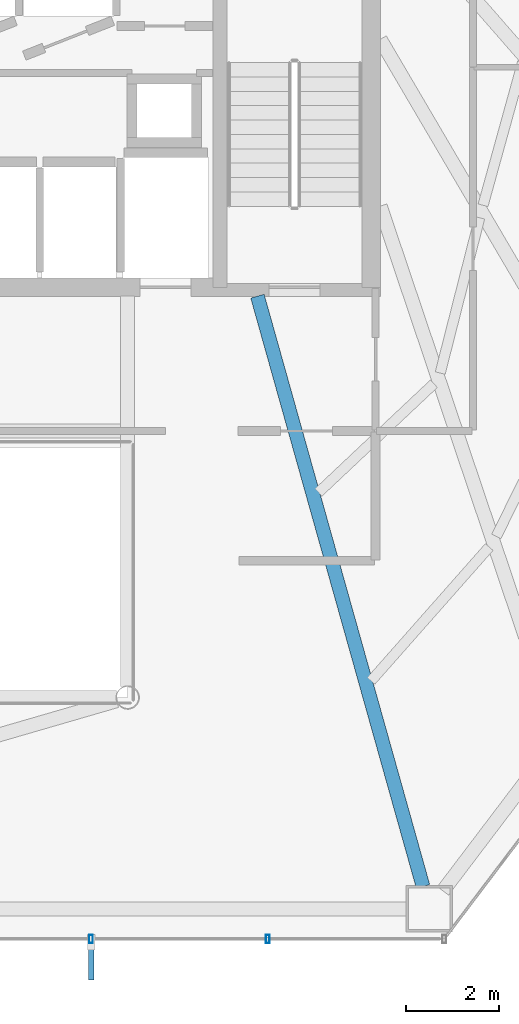
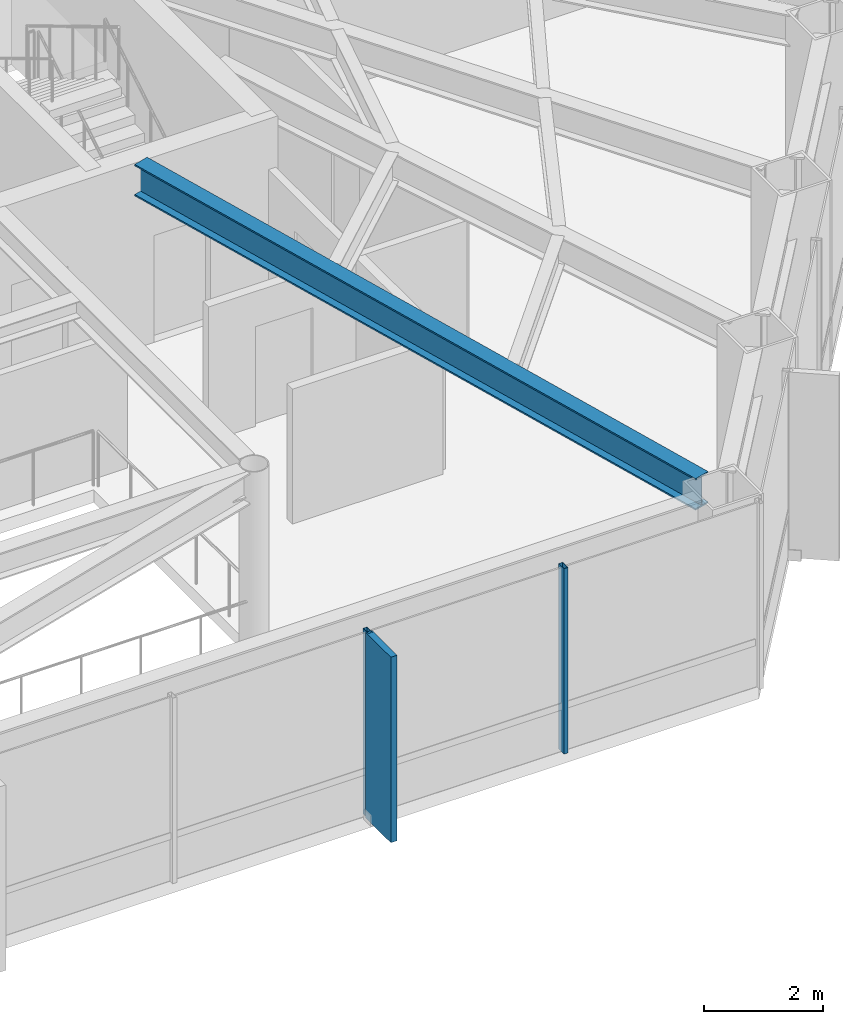
# One storey, part 7 of 26: 3 members, 1 beam, 1 element without a shape of its own.
"""IFC4 building model written with IfcOpenShell, lengths in metres."""

from ifc_helpers import new_model, si_unit, direction, frame, origin, origin_2d, place, context, subcontext, project, spatial, rectangle, hollow_rectangle, i_section, extrude, material, layer, layer_set, material_profile, profile_set, type_object, element, aggregate, save


model = new_model("IFC4")

# Units and contexts
model_context = context("Model", 3, precision=1e-05, world=origin(), true_north=direction((0.0, 1.0)))
body_context = subcontext(model_context, "Body", "Model", "MODEL_VIEW")
ifc_project = project(units=[si_unit("LENGTHUNIT", "METRE"), si_unit("AREAUNIT", "SQUARE_METRE"), si_unit("VOLUMEUNIT", "CUBIC_METRE"), si_unit("PLANEANGLEUNIT", "RADIAN"), si_unit("MASSUNIT", "GRAM", prefix="KILO")], contexts=[model_context])

# Site, building, storey
site_placement = place(None, origin())
site = spatial("IfcSite", under=ifc_project, at=site_placement, CompositionType="ELEMENT")
building_placement = place(site_placement, origin())
building = spatial("IfcBuilding", under=site, at=building_placement, Name="Zarrinselat Tower", CompositionType="ELEMENT")
storey_placement = place(building_placement, frame((0.0, 0.0, 31.6201171875)))
storey = spatial("IfcBuildingStorey", under=building, at=storey_placement, Name="L07", CompositionType="ELEMENT", Elevation=31.6201171875)

# Beam
ifc_material_1 = material(Name="Steel S355J2", Category="steel")
ifc_material_profile_1 = material_profile(ifc_material_1, i_section(OverallWidth=0.300048828125, OverallDepth=0.64990234375, WebThickness=0.01611328125, FlangeThickness=0.031005859375, at=origin_2d()), Name="HEB 650")
ifc_profile_set_1 = profile_set([ifc_material_profile_1], Name="Steel S355J2")
beam_type = type_object("IfcBeamType", Name="BM-HEB650", PredefinedType="BEAM", material=ifc_profile_set_1)
beam_placement = place(storey_placement, frame((45.800048828125, 33.06005859375, 3.494873046875), z_axis=(0.270091305161, -0.962834714204, 0.0), x_axis=(0.962834714204, 0.270091305161, 0.0)))
element("IfcBeam", 1, at=beam_placement, inside=storey, type_object=beam_type, Name="L07 Radial Primary Girder RG11", PredefinedType="BEAM", context=body_context, shape_type="SweptSolid", body=[
    extrude(i_section(OverallWidth=0.300048828125, OverallDepth=0.64990234375, WebThickness=0.01611328125, FlangeThickness=0.031005859375, at=origin_2d()), origin(), (0.0, 0.0, 1.0), 13.22802734375),
])

# Curtain wall, members
ifc_material_2 = material(Name="Extruded Aluminium Alloy EN AW-6063 T6", Category="aluminium")
ifc_layer = layer(ifc_material_2, 0.18505859375)
ifc_layer_set = layer_set([ifc_layer], Name="Extruded Aluminium Alloy EN AW-6063 T6")
curtain_wall_type = type_object("IfcCurtainWallType", Name="CWS-OFF", PredefinedType="NOTDEFINED", material=ifc_layer_set)
curtain_wall_placement = place(storey_placement, origin())
curtain_wall = element("IfcCurtainWall", 2, at=curtain_wall_placement, inside=storey, type_object=curtain_wall_type, Name="L07 Unitised Curtain Wall CW-L07-E04", PredefinedType="NOTDEFINED")
ifc_material_3 = material(Name="Extruded Aluminium Alloy EN AW-6063 T6", Category="aluminium")
ifc_material_profile_2 = material_profile(ifc_material_3, hollow_rectangle(XDim=0.080078125, YDim=0.179931640625, WallThickness=0.0048828125, at=origin_2d()), Name="RHS 180x80x5")
ifc_profile_set_2 = profile_set([ifc_material_profile_2], Name="Extruded Aluminium Alloy EN AW-6063 T6")
member_type_1 = type_object("IfcMemberType", Name="MEM-CW-MUL", PredefinedType="MULLION", material=ifc_profile_set_2)
member_1_placement = place(storey_placement, frame((42.21044921875, 19.1904296875, 0.0), z_axis=(0.0, 0.0, 1.0), x_axis=(1.0, 0.0, 0.0)))
member_1 = element("IfcMember", 3, at=member_1_placement, type_object=member_type_1, Name="CW-L07-E04 Mullion 5", PredefinedType="MULLION", context=body_context, shape_type="SweptSolid", body=[
    extrude(hollow_rectangle(XDim=0.080078125, YDim=0.179931640625, WallThickness=0.0048828125, at=origin_2d()), origin(), (0.0, 0.0, 1.0), 3.81982421875),
])
member_2_placement = place(storey_placement, frame((46.02099609375, 19.1904296875, 0.0), z_axis=(0.0, 0.0, 1.0), x_axis=(1.0, 0.0, 0.0)))
member_2 = element("IfcMember", 4, at=member_2_placement, type_object=member_type_1, Name="CW-L07-E04 Mullion 6", PredefinedType="MULLION", context=body_context, shape_type="SweptSolid", body=[
    extrude(hollow_rectangle(XDim=0.080078125, YDim=0.179931640625, WallThickness=0.0048828125, at=origin_2d()), origin(), (0.0, 0.0, 1.0), 3.81982421875),
])
ifc_material_4 = material(Name="Honed Cream Travertine Stone", Category="masonry")
ifc_material_profile_3 = material_profile(ifc_material_4, rectangle(XDim=0.1201171875, YDim=0.85009765625, at=origin_2d()), Name="FIN 850x120")
ifc_profile_set_3 = profile_set([ifc_material_profile_3], Name="Honed Cream Travertine Stone")
member_type_2 = type_object("IfcMemberType", Name="MEM-STONE-FIN", PredefinedType="USERDEFINED", material=ifc_profile_set_3)
member_3_placement = place(storey_placement, frame((42.21044921875, 18.73046875, 0.0), z_axis=(0.0, 0.0, 1.0), x_axis=(-1.0, 0.0, 0.0)))
member_3 = element("IfcMember", 5, at=member_3_placement, type_object=member_type_2, Name="L07 Stone Shading Fin CW-L07-E04-05", ObjectType="FIN", PredefinedType="USERDEFINED", context=body_context, shape_type="SweptSolid", body=[
    extrude(rectangle(XDim=0.1201171875, YDim=0.85009765625, at=origin_2d()), origin(), (0.0, 0.0, 1.0), 3.81982421875),
])
aggregate(curtain_wall, [member_1, member_3, member_2])

save(model, "model.ifc")
